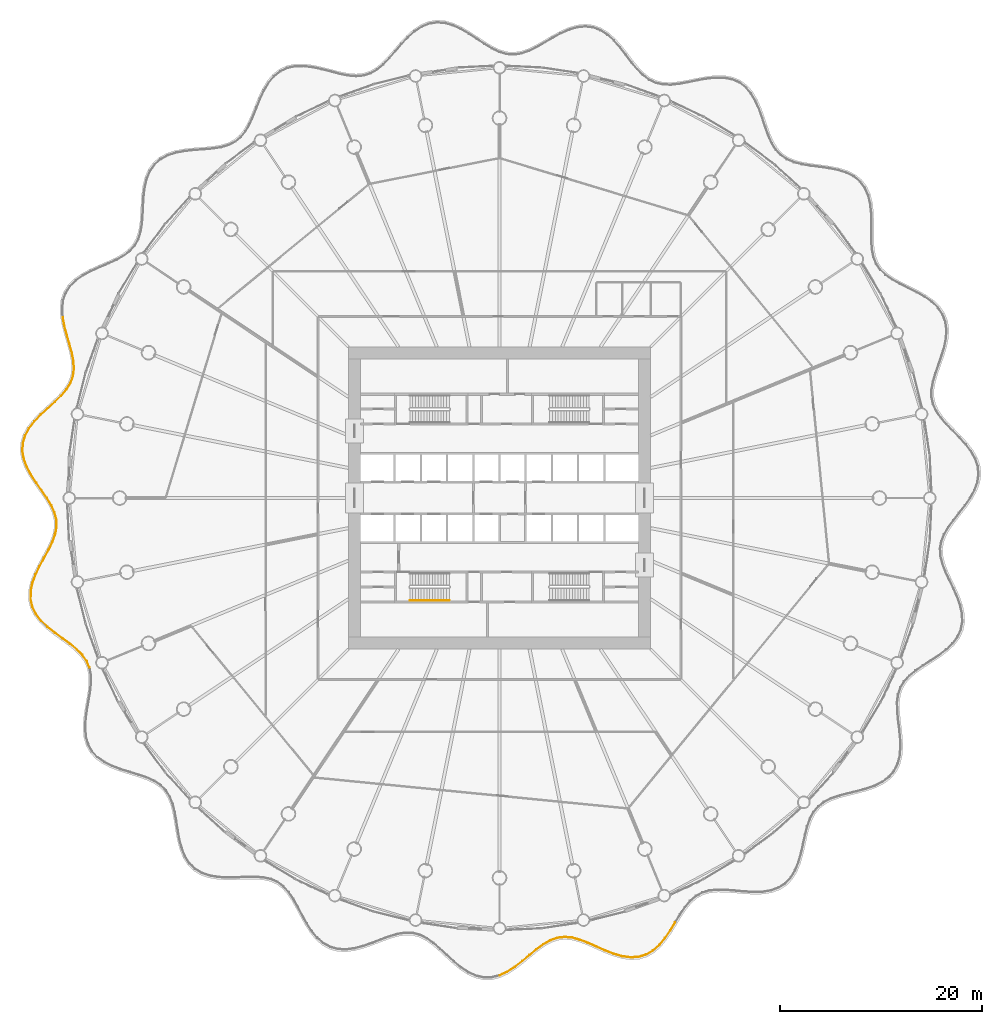
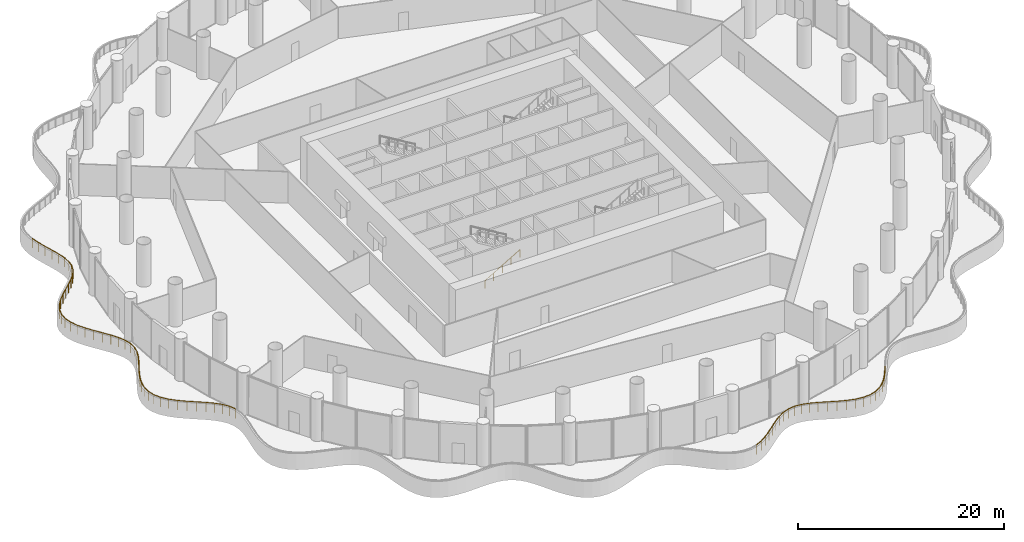
# One storey, part 32 of 38: 4 railings.
"""IFC4 building model written with IfcOpenShell, lengths in metres."""

from ifc_helpers import new_model, si_unit, direction, frame, origin, origin_2d, place, context, subcontext, project, spatial, circle, extrude, material, type_object, element, save


model = new_model("IFC4")

# Units and contexts
model_context = context("Model", 3, precision=1e-05, world=origin(), true_north=direction((0.0, 1.0)))
body_context = subcontext(model_context, "Body", "Model", "MODEL_VIEW")
ifc_project = project(units=[si_unit("LENGTHUNIT", "METRE"), si_unit("AREAUNIT", "SQUARE_METRE"), si_unit("VOLUMEUNIT", "CUBIC_METRE"), si_unit("PLANEANGLEUNIT", "RADIAN"), si_unit("MASSUNIT", "GRAM", prefix="KILO")], contexts=[model_context])

# Site, building, storey
site_placement = place(None, origin())
site = spatial("IfcSite", under=ifc_project, at=site_placement, CompositionType="ELEMENT")
building_placement = place(site_placement, origin())
building = spatial("IfcBuilding", under=site, at=building_placement, Name="Corvane Civic Tower", CompositionType="ELEMENT")
storey_placement = place(building_placement, frame((0.0, 0.0, 32.0)))
storey = spatial("IfcBuildingStorey", under=building, at=storey_placement, Name="L06", CompositionType="ELEMENT", Elevation=32.0)

# Railings
ifc_material_1 = material(Name="Steel ASTM A572 Gr 50", Category="steel")
railing_type_1 = type_object("IfcRailingType", Name="PODIUM-RL-GUARD-1100", PredefinedType="GUARDRAIL", material=ifc_material_1)
railing_1_placement = place(storey_placement, frame((-43.33056640625, 17.92529296875, 0.0)))
element("IfcRailing", 1, at=railing_1_placement, inside=storey, type_object=railing_type_1, Name="L06 ribbon guard 4", PredefinedType="GUARDRAIL", context=body_context, shape_type="SweptSolid", body=[
    extrude(circle(Radius=0.02392578125, at=origin_2d()), frame((0.0, 0.0, 1.076171875), z_axis=(0.184439018576, -0.982843959348, 0.0), x_axis=(0.982843959348, 0.184439018576, 0.0)), (0.0, 0.0, 1.0), 0.881591796875),
    extrude(circle(Radius=0.02392578125, at=origin_2d()), frame((0.16259765625, -0.866455078125, 1.076171875), z_axis=(0.256245058711, -0.966611850686, 0.0), x_axis=(0.966611850686, 0.256245058711, 0.0)), (0.0, 0.0, 1.0), 0.932861328125),
    extrude(circle(Radius=0.02392578125, at=origin_2d()), frame((0.401611328125, -1.76806640625, 1.076171875), z_axis=(0.282351351328, -0.959311062379, 0.0), x_axis=(0.959311062379, 0.282351351328, 0.0)), (0.0, 0.0, 1.0), 0.9287109375),
    extrude(circle(Radius=0.02392578125, at=origin_2d()), frame((0.663818359375, -2.658935546875, 1.076171875), z_axis=(0.262724536639, -0.964870881439, 0.0), x_axis=(0.964870881439, 0.262724536639, 0.0)), (0.0, 0.0, 1.0), 0.89404296875),
    extrude(circle(Radius=0.02392578125, at=origin_2d()), frame((0.898681640625, -3.521484375, 1.076171875), z_axis=(0.191291109817, -0.981533347016, 0.0), x_axis=(0.981533347016, 0.191291109817, 0.0)), (0.0, 0.0, 1.0), 0.837158203125),
    extrude(circle(Radius=0.02392578125, at=origin_2d()), frame((1.058837890625, -4.34326171875, 1.076171875), z_axis=(0.059886009549, -0.998205222317, 0.0), x_axis=(0.998205222317, 0.059886009549, 0.0)), (0.0, 0.0, 1.0), 0.774658203125),
    extrude(circle(Radius=0.02392578125, at=origin_2d()), frame((1.105224609375, -5.116455078125, 1.076171875), z_axis=(-0.130125684943, -0.991497506864, 0.0), x_axis=(0.991497506864, -0.130125684943, 0.0)), (0.0, 0.0, 1.0), 0.729736328125),
    extrude(circle(Radius=0.02392578125, at=origin_2d()), frame((1.01025390625, -5.840087890625, 1.076171875), z_axis=(-0.344750673314, -0.938694291689, 0.0), x_axis=(0.938694291689, -0.344750673314, 0.0)), (0.0, 0.0, 1.0), 0.72314453125),
    extrude(circle(Radius=0.02392578125, at=origin_2d()), frame((0.760986328125, -6.518798828125, 1.076171875), z_axis=(-0.528317378365, -0.849046964377, 0.0), x_axis=(0.849046964377, -0.528317378365, 0.0)), (0.0, 0.0, 1.0), 0.75732421875),
    extrude(circle(Radius=0.02392578125, at=origin_2d()), frame((0.36083984375, -7.161865234375, 1.076171875), z_axis=(-0.650619072476, -0.759404255012, 0.0), x_axis=(0.759404255012, -0.650619072476, 0.0)), (0.0, 0.0, 1.0), 0.81689453125),
    extrude(circle(Radius=0.02392578125, at=origin_2d()), frame((-0.170654296875, -7.7822265625, 1.076171875), z_axis=(-0.717184070385, -0.696883784562, 0.0), x_axis=(0.696883784562, -0.717184070385, 0.0)), (0.0, 0.0, 1.0), 0.8779296875),
    extrude(circle(Radius=0.02392578125, at=origin_2d()), frame((-0.80029296875, -8.39404296875, 1.076171875), z_axis=(-0.742119659929, -0.670267417042, 0.0), x_axis=(0.670267417042, -0.742119659929, 0.0)), (0.0, 0.0, 1.0), 0.9208984375),
    extrude(circle(Radius=0.02392578125, at=origin_2d()), frame((-1.483642578125, -9.01123046875, 1.076171875), z_axis=(-0.733871572255, -0.679288241792, 0.0), x_axis=(0.679288241792, -0.733871572255, 0.0)), (0.0, 0.0, 1.0), 0.934814453125),
    extrude(circle(Radius=0.02392578125, at=origin_2d()), frame((-2.169677734375, -9.646240234375, 1.076171875), z_axis=(-0.69273115496, -0.7211959144, 0.0), x_axis=(0.7211959144, -0.69273115496, 0.0)), (0.0, 0.0, 1.0), 0.917724609375),
    extrude(circle(Radius=0.02392578125, at=origin_2d()), frame((-2.805419921875, -10.30810546875, 1.076171875), z_axis=(-0.611122571136, -0.791535977103, 0.0), x_axis=(0.791535977103, -0.611122571136, 0.0)), (0.0, 0.0, 1.0), 0.876953125),
    extrude(circle(Radius=0.02392578125, at=origin_2d()), frame((-3.34130859375, -11.002197265625, 1.076171875), z_axis=(-0.477652034744, -0.878549107168, 0.0), x_axis=(0.878549107168, -0.477652034744, 0.0)), (0.0, 0.0, 1.0), 0.826904296875),
    extrude(circle(Radius=0.02392578125, at=origin_2d()), frame((-3.736328125, -11.728759765625, 1.076171875), z_axis=(-0.285331434771, -0.958428908335, 0.0), x_axis=(0.958428908335, -0.285331434771, 0.0)), (0.0, 0.0, 1.0), 0.788818359375),
    extrude(circle(Radius=0.02392578125, at=origin_2d()), frame((-3.96142578125, -12.48486328125, 1.076171875), z_axis=(-0.053857123903, -0.998548651897, 0.0), x_axis=(0.998548651897, -0.053857123903, 0.0)), (0.0, 0.0, 1.0), 0.77978515625),
    extrude(circle(Radius=0.02392578125, at=origin_2d()), frame((-4.00341796875, -13.263427734375, 1.076171875), z_axis=(0.17217408361, -0.985066538328, 0.0), x_axis=(0.985066538328, 0.17217408361, 0.0)), (0.0, 0.0, 1.0), 0.803955078125),
    extrude(circle(Radius=0.02392578125, at=origin_2d()), frame((-3.864990234375, -14.055419921875, 1.076171875), z_axis=(0.351909725768, -0.936033944315, 0.0), x_axis=(0.936033944315, 0.351909725768, 0.0)), (0.0, 0.0, 1.0), 0.8505859375),
    extrude(circle(Radius=0.02392578125, at=origin_2d()), frame((-3.565673828125, -14.8515625, 1.076171875), z_axis=(0.47450492985, -0.880252845237, 0.0), x_axis=(0.880252845237, 0.47450492985, 0.0)), (0.0, 0.0, 1.0), 0.8984375),
    extrude(circle(Radius=0.02392578125, at=origin_2d()), frame((-3.139404296875, -15.642333984375, 1.076171875), z_axis=(0.546612268457, -0.837385829813, 0.0), x_axis=(0.837385829813, 0.546612268457, 0.0)), (0.0, 0.0, 1.0), 0.929443359375),
    extrude(circle(Radius=0.02392578125, at=origin_2d()), frame((-2.63134765625, -16.420654296875, 1.076171875), z_axis=(0.57721775227, -0.816590268411, 0.0), x_axis=(0.816590268411, 0.57721775227, 0.0)), (0.0, 0.0, 1.0), 0.93212890625),
    extrude(circle(Radius=0.02392578125, at=origin_2d()), frame((-2.09326171875, -17.181884765625, 1.076171875), z_axis=(0.568660915, -0.822572041678, 0.0), x_axis=(0.822572041678, 0.568660915, 0.0)), (0.0, 0.0, 1.0), 0.87890625),
    extrude(circle(Radius=0.02099609375, at=origin_2d()), origin(), (0.0, 0.0, 1.0), 1.052001953125),
    extrude(circle(Radius=0.02099609375, at=origin_2d()), frame((0.16259765625, -0.866455078125, 0.0)), (0.0, 0.0, 1.0), 1.052001953125),
    extrude(circle(Radius=0.02099609375, at=origin_2d()), frame((0.401611328125, -1.76806640625, 0.0)), (0.0, 0.0, 1.0), 1.052001953125),
    extrude(circle(Radius=0.02099609375, at=origin_2d()), frame((0.663818359375, -2.658935546875, 0.0)), (0.0, 0.0, 1.0), 1.052001953125),
    extrude(circle(Radius=0.02099609375, at=origin_2d()), frame((0.898681640625, -3.521484375, 0.0)), (0.0, 0.0, 1.0), 1.052001953125),
    extrude(circle(Radius=0.02099609375, at=origin_2d()), frame((1.058837890625, -4.34326171875, 0.0)), (0.0, 0.0, 1.0), 1.052001953125),
    extrude(circle(Radius=0.02099609375, at=origin_2d()), frame((1.105224609375, -5.116455078125, 0.0)), (0.0, 0.0, 1.0), 1.052001953125),
    extrude(circle(Radius=0.02099609375, at=origin_2d()), frame((1.01025390625, -5.840087890625, 0.0)), (0.0, 0.0, 1.0), 1.052001953125),
    extrude(circle(Radius=0.02099609375, at=origin_2d()), frame((0.760986328125, -6.518798828125, 0.0)), (0.0, 0.0, 1.0), 1.052001953125),
    extrude(circle(Radius=0.02099609375, at=origin_2d()), frame((0.36083984375, -7.161865234375, 0.0)), (0.0, 0.0, 1.0), 1.052001953125),
    extrude(circle(Radius=0.02099609375, at=origin_2d()), frame((-0.170654296875, -7.7822265625, 0.0)), (0.0, 0.0, 1.0), 1.052001953125),
    extrude(circle(Radius=0.02099609375, at=origin_2d()), frame((-0.80029296875, -8.39404296875, 0.0)), (0.0, 0.0, 1.0), 1.052001953125),
    extrude(circle(Radius=0.02099609375, at=origin_2d()), frame((-1.483642578125, -9.01123046875, 0.0)), (0.0, 0.0, 1.0), 1.052001953125),
    extrude(circle(Radius=0.02099609375, at=origin_2d()), frame((-2.169677734375, -9.646240234375, 0.0)), (0.0, 0.0, 1.0), 1.052001953125),
    extrude(circle(Radius=0.02099609375, at=origin_2d()), frame((-2.805419921875, -10.30810546875, 0.0)), (0.0, 0.0, 1.0), 1.052001953125),
    extrude(circle(Radius=0.02099609375, at=origin_2d()), frame((-3.34130859375, -11.002197265625, 0.0)), (0.0, 0.0, 1.0), 1.052001953125),
    extrude(circle(Radius=0.02099609375, at=origin_2d()), frame((-3.736328125, -11.728759765625, 0.0)), (0.0, 0.0, 1.0), 1.052001953125),
    extrude(circle(Radius=0.02099609375, at=origin_2d()), frame((-3.96142578125, -12.48486328125, 0.0)), (0.0, 0.0, 1.0), 1.052001953125),
    extrude(circle(Radius=0.02099609375, at=origin_2d()), frame((-4.00341796875, -13.263427734375, 0.0)), (0.0, 0.0, 1.0), 1.052001953125),
    extrude(circle(Radius=0.02099609375, at=origin_2d()), frame((-3.864990234375, -14.055419921875, 0.0)), (0.0, 0.0, 1.0), 1.052001953125),
    extrude(circle(Radius=0.02099609375, at=origin_2d()), frame((-3.565673828125, -14.8515625, 0.0)), (0.0, 0.0, 1.0), 1.052001953125),
    extrude(circle(Radius=0.02099609375, at=origin_2d()), frame((-3.139404296875, -15.642333984375, 0.0)), (0.0, 0.0, 1.0), 1.052001953125),
    extrude(circle(Radius=0.02099609375, at=origin_2d()), frame((-2.63134765625, -16.420654296875, 0.0)), (0.0, 0.0, 1.0), 1.052001953125),
    extrude(circle(Radius=0.02099609375, at=origin_2d()), frame((-2.09326171875, -17.181884765625, 0.0)), (0.0, 0.0, 1.0), 1.052001953125),
    extrude(circle(Radius=0.02099609375, at=origin_2d()), frame((-1.593505859375, -17.90478515625, 0.0)), (0.0, 0.0, 1.0), 1.052001953125),
])
railing_2_placement = place(storey_placement, frame((-44.89697265625, -0.021484375, 0.0)))
element("IfcRailing", 2, at=railing_2_placement, inside=storey, type_object=railing_type_1, Name="L06 ribbon guard 5", PredefinedType="GUARDRAIL", context=body_context, shape_type="SweptSolid", body=[
    extrude(circle(Radius=0.02392578125, at=origin_2d()), frame((0.0, 0.0, 1.076171875), z_axis=(0.517147247165, -0.855896445108, 0.0), x_axis=(0.855896445108, 0.517147247165, 0.0)), (0.0, 0.0, 1.0), 0.8251953125),
    extrude(circle(Radius=0.02392578125, at=origin_2d()), frame((0.4267578125, -0.706298828125, 1.076171875), z_axis=(0.410996558744, -0.911636895206, 0.0), x_axis=(0.911636895206, 0.410996558744, 0.0)), (0.0, 0.0, 1.0), 0.787109375),
    extrude(circle(Radius=0.02392578125, at=origin_2d()), frame((0.750244140625, -1.423828125, 1.076171875), z_axis=(0.241599759092, -0.970375987134, 0.0), x_axis=(0.970375987134, 0.241599759092, 0.0)), (0.0, 0.0, 1.0), 0.736572265625),
    extrude(circle(Radius=0.02392578125, at=origin_2d()), frame((0.92822265625, -2.138671875, 1.076171875), z_axis=(0.025745445057, -0.999668531094, 0.0), x_axis=(0.999668531094, 0.025745445057, 0.0)), (0.0, 0.0, 1.0), 0.720703125),
    extrude(circle(Radius=0.02392578125, at=origin_2d()), frame((0.94677734375, -2.859130859375, 1.076171875), z_axis=(-0.185235244446, -0.982694206869, 0.0), x_axis=(0.982694206869, -0.185235244446, 0.0)), (0.0, 0.0, 1.0), 0.747314453125),
    extrude(circle(Radius=0.02392578125, at=origin_2d()), frame((0.808349609375, -3.593505859375, 1.076171875), z_axis=(-0.343888648541, -0.939010435195, 0.0), x_axis=(0.939010435195, -0.343888648541, 0.0)), (0.0, 0.0, 1.0), 0.8037109375),
    extrude(circle(Radius=0.02392578125, at=origin_2d()), frame((0.531982421875, -4.34814453125, 1.076171875), z_axis=(-0.439301158642, -0.898339853294, 0.0), x_axis=(0.898339853294, -0.439301158642, 0.0)), (0.0, 0.0, 1.0), 0.865966796875),
    extrude(circle(Radius=0.02392578125, at=origin_2d()), frame((0.151611328125, -5.1259765625, 1.076171875), z_axis=(-0.48107769897, -0.876677961143, 0.0), x_axis=(0.876677961143, -0.48107769897, 0.0)), (0.0, 0.0, 1.0), 0.9140625),
    extrude(circle(Radius=0.02392578125, at=origin_2d()), frame((-0.2880859375, -5.92724609375, 1.076171875), z_axis=(-0.47910835533, -0.877755765491, 0.0), x_axis=(0.877755765491, -0.47910835533, 0.0)), (0.0, 0.0, 1.0), 0.9345703125),
    extrude(circle(Radius=0.02392578125, at=origin_2d()), frame((-0.73583984375, -6.74755859375, 1.076171875), z_axis=(-0.435864894401, -0.900012107601, 0.0), x_axis=(0.900012107601, -0.435864894401, 0.0)), (0.0, 0.0, 1.0), 0.923583984375),
    extrude(circle(Radius=0.02392578125, at=origin_2d()), frame((-1.138427734375, -7.578857421875, 1.076171875), z_axis=(-0.346292090421, -0.938126744162, 0.0), x_axis=(0.938126744162, -0.346292090421, 0.0)), (0.0, 0.0, 1.0), 0.886962890625),
    extrude(circle(Radius=0.02392578125, at=origin_2d()), frame((-1.445556640625, -8.410888671875, 1.076171875), z_axis=(-0.203849440794, -0.979002249991, 0.0), x_axis=(0.979002249991, -0.203849440794, 0.0)), (0.0, 0.0, 1.0), 0.837158203125),
    extrude(circle(Radius=0.02392578125, at=origin_2d()), frame((-1.6162109375, -9.23046875, 1.076171875), z_axis=(-0.005835281486, -0.9999829746, 0.0), x_axis=(0.9999829746, -0.005835281486, 0.0)), (0.0, 0.0, 1.0), 0.794921875),
    extrude(circle(Radius=0.02392578125, at=origin_2d()), frame((-1.620849609375, -10.025390625, 1.076171875), z_axis=(0.22479081448, -0.974407045195, 0.0), x_axis=(0.974407045195, 0.22479081448, 0.0)), (0.0, 0.0, 1.0), 0.77880859375),
    extrude(circle(Radius=0.02392578125, at=origin_2d()), frame((-1.44580078125, -10.7841796875, 1.076171875), z_axis=(0.442549118131, -0.896744265686, 0.0), x_axis=(0.896744265686, 0.442549118131, 0.0)), (0.0, 0.0, 1.0), 0.796630859375),
    extrude(circle(Radius=0.02392578125, at=origin_2d()), frame((-1.09326171875, -11.49853515625, 1.076171875), z_axis=(0.609261138416, -0.792969649618, 0.0), x_axis=(0.792969649618, 0.609261138416, 0.0)), (0.0, 0.0, 1.0), 0.83984375),
    extrude(circle(Radius=0.02392578125, at=origin_2d()), frame((-0.58154296875, -12.16455078125, 1.076171875), z_axis=(0.718274525848, -0.695759804472, 0.0), x_axis=(0.695759804472, 0.718274525848, 0.0)), (0.0, 0.0, 1.0), 0.88916015625),
    extrude(circle(Radius=0.02392578125, at=origin_2d()), frame((0.05712890625, -12.783203125, 1.076171875), z_axis=(0.780430885858, -0.625242059045, 0.0), x_axis=(0.625242059045, 0.780430885858, 0.0)), (0.0, 0.0, 1.0), 0.925048828125),
    extrude(circle(Radius=0.02392578125, at=origin_2d()), frame((0.779052734375, -13.361572265625, 1.076171875), z_axis=(0.808634355419, -0.588311549466, 0.0), x_axis=(0.588311549466, 0.808634355419, 0.0)), (0.0, 0.0, 1.0), 0.93408203125),
    extrude(circle(Radius=0.02392578125, at=origin_2d()), frame((1.534423828125, -13.9111328125, 1.076171875), z_axis=(0.808620320993, -0.588330839305, 0.0), x_axis=(0.588330839305, 0.808620320993, 0.0)), (0.0, 0.0, 1.0), 0.912109375),
    extrude(circle(Radius=0.02392578125, at=origin_2d()), frame((2.27197265625, -14.44775390625, 1.076171875), z_axis=(0.778100739541, -0.628139506102, 0.0), x_axis=(0.628139506102, 0.778100739541, 0.0)), (0.0, 0.0, 1.0), 0.86279296875),
    extrude(circle(Radius=0.02392578125, at=origin_2d()), frame((2.943359375, -14.98974609375, 1.076171875), z_axis=(0.706648958876, -0.707564307268, 0.0), x_axis=(0.707564307268, 0.706648958876, 0.0)), (0.0, 0.0, 1.0), 0.800048828125),
    extrude(circle(Radius=0.02392578125, at=origin_2d()), frame((3.5087890625, -15.555908203125, 1.076171875), z_axis=(0.578662648037, -0.815567005075, 0.0), x_axis=(0.815567005075, 0.578662648037, 0.0)), (0.0, 0.0, 1.0), 0.7451171875),
    extrude(circle(Radius=0.02392578125, at=origin_2d()), frame((3.93994140625, -16.16357421875, 1.076171875), z_axis=(0.392648450262, -0.919688639979, 0.0), x_axis=(0.919688639979, 0.392648450262, 0.0)), (0.0, 0.0, 1.0), 0.69580078125),
    extrude(circle(Radius=0.02099609375, at=origin_2d()), origin(), (0.0, 0.0, 1.0), 1.052001953125),
    extrude(circle(Radius=0.02099609375, at=origin_2d()), frame((0.4267578125, -0.706298828125, 0.0)), (0.0, 0.0, 1.0), 1.052001953125),
    extrude(circle(Radius=0.02099609375, at=origin_2d()), frame((0.750244140625, -1.423828125, 0.0)), (0.0, 0.0, 1.0), 1.052001953125),
    extrude(circle(Radius=0.02099609375, at=origin_2d()), frame((0.92822265625, -2.138671875, 0.0)), (0.0, 0.0, 1.0), 1.052001953125),
    extrude(circle(Radius=0.02099609375, at=origin_2d()), frame((0.94677734375, -2.859130859375, 0.0)), (0.0, 0.0, 1.0), 1.052001953125),
    extrude(circle(Radius=0.02099609375, at=origin_2d()), frame((0.808349609375, -3.593505859375, 0.0)), (0.0, 0.0, 1.0), 1.052001953125),
    extrude(circle(Radius=0.02099609375, at=origin_2d()), frame((0.531982421875, -4.34814453125, 0.0)), (0.0, 0.0, 1.0), 1.052001953125),
    extrude(circle(Radius=0.02099609375, at=origin_2d()), frame((0.151611328125, -5.1259765625, 0.0)), (0.0, 0.0, 1.0), 1.052001953125),
    extrude(circle(Radius=0.02099609375, at=origin_2d()), frame((-0.2880859375, -5.92724609375, 0.0)), (0.0, 0.0, 1.0), 1.052001953125),
    extrude(circle(Radius=0.02099609375, at=origin_2d()), frame((-0.73583984375, -6.74755859375, 0.0)), (0.0, 0.0, 1.0), 1.052001953125),
    extrude(circle(Radius=0.02099609375, at=origin_2d()), frame((-1.138427734375, -7.578857421875, 0.0)), (0.0, 0.0, 1.0), 1.052001953125),
    extrude(circle(Radius=0.02099609375, at=origin_2d()), frame((-1.445556640625, -8.410888671875, 0.0)), (0.0, 0.0, 1.0), 1.052001953125),
    extrude(circle(Radius=0.02099609375, at=origin_2d()), frame((-1.6162109375, -9.23046875, 0.0)), (0.0, 0.0, 1.0), 1.052001953125),
    extrude(circle(Radius=0.02099609375, at=origin_2d()), frame((-1.620849609375, -10.025390625, 0.0)), (0.0, 0.0, 1.0), 1.052001953125),
    extrude(circle(Radius=0.02099609375, at=origin_2d()), frame((-1.44580078125, -10.7841796875, 0.0)), (0.0, 0.0, 1.0), 1.052001953125),
    extrude(circle(Radius=0.02099609375, at=origin_2d()), frame((-1.09326171875, -11.49853515625, 0.0)), (0.0, 0.0, 1.0), 1.052001953125),
    extrude(circle(Radius=0.02099609375, at=origin_2d()), frame((-0.58154296875, -12.16455078125, 0.0)), (0.0, 0.0, 1.0), 1.052001953125),
    extrude(circle(Radius=0.02099609375, at=origin_2d()), frame((0.05712890625, -12.783203125, 0.0)), (0.0, 0.0, 1.0), 1.052001953125),
    extrude(circle(Radius=0.02099609375, at=origin_2d()), frame((0.779052734375, -13.361572265625, 0.0)), (0.0, 0.0, 1.0), 1.052001953125),
    extrude(circle(Radius=0.02099609375, at=origin_2d()), frame((1.534423828125, -13.9111328125, 0.0)), (0.0, 0.0, 1.0), 1.052001953125),
    extrude(circle(Radius=0.02099609375, at=origin_2d()), frame((2.27197265625, -14.44775390625, 0.0)), (0.0, 0.0, 1.0), 1.052001953125),
    extrude(circle(Radius=0.02099609375, at=origin_2d()), frame((2.943359375, -14.98974609375, 0.0)), (0.0, 0.0, 1.0), 1.052001953125),
    extrude(circle(Radius=0.02099609375, at=origin_2d()), frame((3.5087890625, -15.555908203125, 0.0)), (0.0, 0.0, 1.0), 1.052001953125),
    extrude(circle(Radius=0.02099609375, at=origin_2d()), frame((3.93994140625, -16.16357421875, 0.0)), (0.0, 0.0, 1.0), 1.052001953125),
    extrude(circle(Radius=0.02099609375, at=origin_2d()), frame((4.213134765625, -16.803466796875, 0.0)), (0.0, 0.0, 1.0), 1.052001953125),
])
railing_3_placement = place(storey_placement, frame((0.022705078125, -47.3583984375, 0.0)))
element("IfcRailing", 3, at=railing_3_placement, inside=storey, type_object=railing_type_1, Name="L06 ribbon guard 9", PredefinedType="GUARDRAIL", context=body_context, shape_type="SweptSolid", body=[
    extrude(circle(Radius=0.02392578125, at=origin_2d()), frame((0.0, 0.0, 1.076171875), z_axis=(0.907324409664, 0.420431225799, 0.0), x_axis=(-0.420431225799, 0.907324409664, 0.0)), (0.0, 0.0, 1.0), 0.82275390625),
    extrude(circle(Radius=0.02392578125, at=origin_2d()), frame((0.74658203125, 0.345947265625, 1.076171875), z_axis=(0.841196176534, 0.540730055188, 0.0), x_axis=(-0.540730055188, 0.841196176534, 0.0)), (0.0, 0.0, 1.0), 0.896240234375),
    extrude(circle(Radius=0.02392578125, at=origin_2d()), frame((1.50048828125, 0.83056640625, 1.076171875), z_axis=(0.791302351532, 0.611425047295, 0.0), x_axis=(-0.611425047295, 0.791302351532, 0.0)), (0.0, 0.0, 1.0), 0.928466796875),
    extrude(circle(Radius=0.02392578125, at=origin_2d()), frame((2.235107421875, 1.398193359375, 1.076171875), z_axis=(0.766889482405, 0.641779184593, 0.0), x_axis=(-0.641779184593, 0.766889482405, 0.0)), (0.0, 0.0, 1.0), 0.932861328125),
    extrude(circle(Radius=0.02392578125, at=origin_2d()), frame((2.950439453125, 1.996826171875, 1.076171875), z_axis=(0.771634514187, 0.636066173064, 0.0), x_axis=(-0.636066173064, 0.771634514187, 0.0)), (0.0, 0.0, 1.0), 0.90576171875),
    extrude(circle(Radius=0.02392578125, at=origin_2d()), frame((3.6494140625, 2.572998046875, 1.076171875), z_axis=(0.807522128628, 0.589837275675, 0.0), x_axis=(-0.589837275675, 0.807522128628, 0.0)), (0.0, 0.0, 1.0), 0.853515625),
    extrude(circle(Radius=0.02392578125, at=origin_2d()), frame((4.338623046875, 3.076416015625, 1.076171875), z_axis=(0.870741119423, 0.491741703484, 0.0), x_axis=(-0.491741703484, 0.870741119423, 0.0)), (0.0, 0.0, 1.0), 0.790283203125),
    extrude(circle(Radius=0.02392578125, at=origin_2d()), frame((5.02685546875, 3.465087890625, 1.076171875), z_axis=(0.94357461907, 0.331159988899, 0.0), x_axis=(-0.331159988899, 0.94357461907, 0.0)), (0.0, 0.0, 1.0), 0.73876953125),
    extrude(circle(Radius=0.02392578125, at=origin_2d()), frame((5.723876953125, 3.709716796875, 1.076171875), z_axis=(0.992820610222, 0.119612858501, 0.0), x_axis=(-0.119612858501, 0.992820610222, 0.0)), (0.0, 0.0, 1.0), 0.720458984375),
    extrude(circle(Radius=0.02392578125, at=origin_2d()), frame((6.439208984375, 3.7958984375, 1.076171875), z_axis=(0.995658937757, -0.093076740725, 0.0), x_axis=(0.093076740725, 0.995658937757, 0.0)), (0.0, 0.0, 1.0), 0.744873046875),
    extrude(circle(Radius=0.02392578125, at=origin_2d()), frame((7.180908203125, 3.7265625, 1.076171875), z_axis=(0.96610313067, -0.25815642721, 0.0), x_axis=(0.25815642721, 0.96610313067, 0.0)), (0.0, 0.0, 1.0), 0.800048828125),
    extrude(circle(Radius=0.02392578125, at=origin_2d()), frame((7.953857421875, 3.52001953125, 1.076171875), z_axis=(0.933009799905, -0.359850959818, 0.0), x_axis=(0.359850959818, 0.933009799905, 0.0)), (0.0, 0.0, 1.0), 0.863037109375),
    extrude(circle(Radius=0.02392578125, at=origin_2d()), frame((8.759033203125, 3.20947265625, 1.076171875), z_axis=(0.913844660096, -0.406063957049, 0.0), x_axis=(0.406063957049, 0.913844660096, 0.0)), (0.0, 0.0, 1.0), 0.912109375),
    extrude(circle(Radius=0.02392578125, at=origin_2d()), frame((9.592529296875, 2.839111328125, 1.076171875), z_axis=(0.913736108534, -0.406308163789, 0.0), x_axis=(0.406308163789, 0.913736108534, 0.0)), (0.0, 0.0, 1.0), 0.934326171875),
    extrude(circle(Radius=0.02392578125, at=origin_2d()), frame((10.4462890625, 2.45947265625, 1.076171875), z_axis=(0.931717084753, -0.363184903292, 0.0), x_axis=(0.363184903292, 0.931717084753, 0.0)), (0.0, 0.0, 1.0), 0.925048828125),
    extrude(circle(Radius=0.02392578125, at=origin_2d()), frame((11.30810546875, 2.12353515625, 1.076171875), z_axis=(0.961730877869, -0.273995836744, 0.0), x_axis=(0.273995836744, 0.961730877869, 0.0)), (0.0, 0.0, 1.0), 0.88916015625),
    extrude(circle(Radius=0.02392578125, at=origin_2d()), frame((12.163330078125, 1.8798828125, 1.076171875), z_axis=(0.991366996164, -0.131116280138, 0.0), x_axis=(0.131116280138, 0.991366996164, 0.0)), (0.0, 0.0, 1.0), 0.83984375),
    extrude(circle(Radius=0.02392578125, at=origin_2d()), frame((12.995849609375, 1.769775390625, 1.076171875), z_axis=(0.99788702308, 0.064972987989, 0.0), x_axis=(-0.064972987989, 0.99788702308, 0.0)), (0.0, 0.0, 1.0), 0.796630859375),
    extrude(circle(Radius=0.02392578125, at=origin_2d()), frame((13.790771484375, 1.821533203125, 1.076171875), z_axis=(0.956259035842, 0.292521206702, 0.0), x_axis=(-0.292521206702, 0.956259035842, 0.0)), (0.0, 0.0, 1.0), 0.77880859375),
    extrude(circle(Radius=0.02392578125, at=origin_2d()), frame((14.535400390625, 2.04931640625, 1.076171875), z_axis=(0.862998140135, 0.505207096271, 0.0), x_axis=(-0.505207096271, 0.862998140135, 0.0)), (0.0, 0.0, 1.0), 0.794921875),
    extrude(circle(Radius=0.02392578125, at=origin_2d()), frame((15.221435546875, 2.450927734375, 1.076171875), z_axis=(0.74592731357, 0.66602735895, 0.0), x_axis=(-0.66602735895, 0.74592731357, 0.0)), (0.0, 0.0, 1.0), 0.837158203125),
    extrude(circle(Radius=0.02392578125, at=origin_2d()), frame((15.845947265625, 3.008544921875, 1.076171875), z_axis=(0.639290308686, 0.76896547466, 0.0), x_axis=(-0.76896547466, 0.639290308686, 0.0)), (0.0, 0.0, 1.0), 0.88671875),
    extrude(circle(Radius=0.02392578125, at=origin_2d()), frame((16.412841796875, 3.6904296875, 1.076171875), z_axis=(0.561695319823, 0.827344165199, 0.0), x_axis=(-0.827344165199, 0.561695319823, 0.0)), (0.0, 0.0, 1.0), 0.923583984375),
    extrude(circle(Radius=0.02392578125, at=origin_2d()), frame((16.931640625, 4.45458984375, 1.076171875), z_axis=(0.520679001191, 0.853752527211, 0.0), x_axis=(-0.853752527211, 0.520679001191, 0.0)), (0.0, 0.0, 1.0), 0.90966796875),
    extrude(circle(Radius=0.02099609375, at=origin_2d()), origin(), (0.0, 0.0, 1.0), 1.052001953125),
    extrude(circle(Radius=0.02099609375, at=origin_2d()), frame((0.74658203125, 0.345947265625, 0.0)), (0.0, 0.0, 1.0), 1.052001953125),
    extrude(circle(Radius=0.02099609375, at=origin_2d()), frame((1.50048828125, 0.83056640625, 0.0)), (0.0, 0.0, 1.0), 1.052001953125),
    extrude(circle(Radius=0.02099609375, at=origin_2d()), frame((2.235107421875, 1.398193359375, 0.0)), (0.0, 0.0, 1.0), 1.052001953125),
    extrude(circle(Radius=0.02099609375, at=origin_2d()), frame((2.950439453125, 1.996826171875, 0.0)), (0.0, 0.0, 1.0), 1.052001953125),
    extrude(circle(Radius=0.02099609375, at=origin_2d()), frame((3.6494140625, 2.572998046875, 0.0)), (0.0, 0.0, 1.0), 1.052001953125),
    extrude(circle(Radius=0.02099609375, at=origin_2d()), frame((4.338623046875, 3.076416015625, 0.0)), (0.0, 0.0, 1.0), 1.052001953125),
    extrude(circle(Radius=0.02099609375, at=origin_2d()), frame((5.02685546875, 3.465087890625, 0.0)), (0.0, 0.0, 1.0), 1.052001953125),
    extrude(circle(Radius=0.02099609375, at=origin_2d()), frame((5.723876953125, 3.709716796875, 0.0)), (0.0, 0.0, 1.0), 1.052001953125),
    extrude(circle(Radius=0.02099609375, at=origin_2d()), frame((6.439208984375, 3.7958984375, 0.0)), (0.0, 0.0, 1.0), 1.052001953125),
    extrude(circle(Radius=0.02099609375, at=origin_2d()), frame((7.180908203125, 3.7265625, 0.0)), (0.0, 0.0, 1.0), 1.052001953125),
    extrude(circle(Radius=0.02099609375, at=origin_2d()), frame((7.953857421875, 3.52001953125, 0.0)), (0.0, 0.0, 1.0), 1.052001953125),
    extrude(circle(Radius=0.02099609375, at=origin_2d()), frame((8.759033203125, 3.20947265625, 0.0)), (0.0, 0.0, 1.0), 1.052001953125),
    extrude(circle(Radius=0.02099609375, at=origin_2d()), frame((9.592529296875, 2.839111328125, 0.0)), (0.0, 0.0, 1.0), 1.052001953125),
    extrude(circle(Radius=0.02099609375, at=origin_2d()), frame((10.4462890625, 2.45947265625, 0.0)), (0.0, 0.0, 1.0), 1.052001953125),
    extrude(circle(Radius=0.02099609375, at=origin_2d()), frame((11.30810546875, 2.12353515625, 0.0)), (0.0, 0.0, 1.0), 1.052001953125),
    extrude(circle(Radius=0.02099609375, at=origin_2d()), frame((12.163330078125, 1.8798828125, 0.0)), (0.0, 0.0, 1.0), 1.052001953125),
    extrude(circle(Radius=0.02099609375, at=origin_2d()), frame((12.995849609375, 1.769775390625, 0.0)), (0.0, 0.0, 1.0), 1.052001953125),
    extrude(circle(Radius=0.02099609375, at=origin_2d()), frame((13.790771484375, 1.821533203125, 0.0)), (0.0, 0.0, 1.0), 1.052001953125),
    extrude(circle(Radius=0.02099609375, at=origin_2d()), frame((14.535400390625, 2.04931640625, 0.0)), (0.0, 0.0, 1.0), 1.052001953125),
    extrude(circle(Radius=0.02099609375, at=origin_2d()), frame((15.221435546875, 2.450927734375, 0.0)), (0.0, 0.0, 1.0), 1.052001953125),
    extrude(circle(Radius=0.02099609375, at=origin_2d()), frame((15.845947265625, 3.008544921875, 0.0)), (0.0, 0.0, 1.0), 1.052001953125),
    extrude(circle(Radius=0.02099609375, at=origin_2d()), frame((16.412841796875, 3.6904296875, 0.0)), (0.0, 0.0, 1.0), 1.052001953125),
    extrude(circle(Radius=0.02099609375, at=origin_2d()), frame((16.931640625, 4.45458984375, 0.0)), (0.0, 0.0, 1.0), 1.052001953125),
    extrude(circle(Radius=0.02099609375, at=origin_2d()), frame((17.4052734375, 5.231201171875, 0.0)), (0.0, 0.0, 1.0), 1.052001953125),
])
ifc_material_2 = material(Name="Steel ASTM A572 Gr 50", Category="steel")
railing_type_2 = type_object("IfcRailingType", Name="ST-HANDRAIL-900", PredefinedType="HANDRAIL", material=ifc_material_2)
railing_4_placement = place(storey_placement, frame((-8.89990234375, -10.14990234375, 0.166748046875)))
element("IfcRailing", 4, at=railing_4_placement, inside=storey, type_object=railing_type_2, Name="L06 ST3 stair handrail 1", PredefinedType="HANDRAIL", context=body_context, shape_type="SweptSolid", body=[
    extrude(circle(Radius=0.02392578125, at=origin_2d()), frame((0.0, 0.0, 0.8759765625), z_axis=(0.859296244711, 0.0, 0.511478214419), x_axis=(0.0, 1.0, 0.0)), (0.0, 0.0, 1.0), 4.561767578125),
    extrude(circle(Radius=0.02099609375, at=origin_2d()), origin(), (0.0, 0.0, 1.0), 0.851806640625),
    extrude(circle(Radius=0.02099609375, at=origin_2d()), frame((0.97998046875, 0.0, 0.583251953125)), (0.0, 0.0, 1.0), 0.851806640625),
    extrude(circle(Radius=0.02099609375, at=origin_2d()), frame((1.9599609375, 0.0, 1.16650390625)), (0.0, 0.0, 1.0), 0.851806640625),
    extrude(circle(Radius=0.02099609375, at=origin_2d()), frame((2.93994140625, 0.0, 1.75)), (0.0, 0.0, 1.0), 0.851806640625),
    extrude(circle(Radius=0.02099609375, at=origin_2d()), frame((3.919921875, 0.0, 2.333251953125)), (0.0, 0.0, 1.0), 0.851806640625),
])

save(model, "model.ifc")
